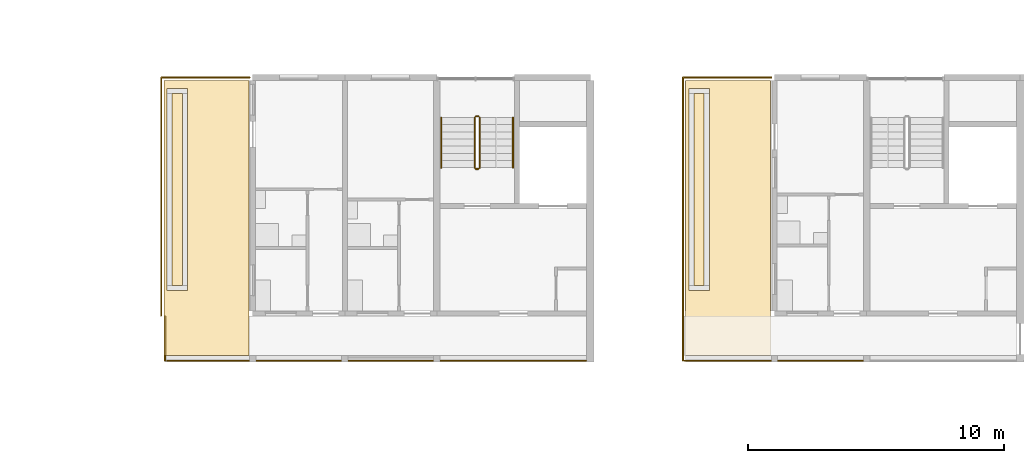
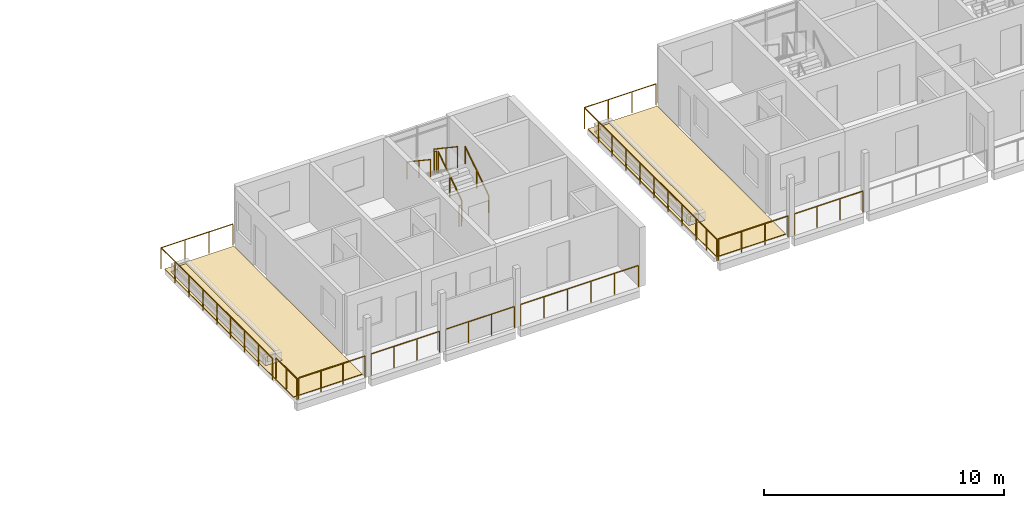
# One storey, part 86 of 94: 16 railings, 6 coverings.
"""IFC4 building model written with IfcOpenShell, lengths in metres."""

from ifc_helpers import new_model, si_unit, direction, frame, origin, origin_2d, place, context, subcontext, project, spatial, polyline, circle, outline, extrude, material, layer, layer_set, type_object, element, save


model = new_model("IFC4")

# Units and contexts
model_context = context("Model", 3, precision=1e-05, world=origin(), true_north=direction((0.0, 1.0)))
body_context = subcontext(model_context, "Body", "Model", "MODEL_VIEW")
ifc_project = project(units=[si_unit("LENGTHUNIT", "METRE"), si_unit("AREAUNIT", "SQUARE_METRE"), si_unit("VOLUMEUNIT", "CUBIC_METRE"), si_unit("PLANEANGLEUNIT", "RADIAN"), si_unit("MASSUNIT", "GRAM", prefix="KILO")], contexts=[model_context])

# Site, building, storey
site_placement = place(None, origin())
site = spatial("IfcSite", under=ifc_project, at=site_placement, CompositionType="ELEMENT")
building_placement = place(site_placement, origin())
building = spatial("IfcBuilding", under=site, at=building_placement, Name="Ridgestep Commons", CompositionType="ELEMENT")
storey_placement = place(building_placement, frame((0.0, 0.0, 24.0)))
storey = spatial("IfcBuildingStorey", under=building, at=storey_placement, Name="L08", CompositionType="ELEMENT", Elevation=24.0)

# Railings
ifc_material_1 = material(Name="Structural steel S355JR", Category="steel")
railing_type_1 = type_object("IfcRailingType", Name="Guard 1100", PredefinedType="GUARDRAIL", material=ifc_material_1)
railing_1_placement = place(storey_placement, frame((146.821044921875, 67.821044921875, 0.0)))
element("IfcRailing", 1, at=railing_1_placement, inside=storey, type_object=railing_type_1, Name="Guard TD-C1R1-GD", PredefinedType="GUARDRAIL", context=body_context, shape_type="SweptSolid", body=[
    extrude(circle(Radius=0.02392578125, at=origin_2d()), frame((0.0, 0.0, 1.076171875), z_axis=(0.0, 1.0, 0.0), x_axis=(-1.0, 0.0, 0.0)), (0.0, 0.0, 1.0), 9.303955078125),
    extrude(circle(Radius=0.02392578125, at=origin_2d()), frame((0.0, 9.303955078125, 1.076171875), z_axis=(1.0, 0.0, 0.0), x_axis=(0.0, 1.0, 0.0)), (0.0, 0.0, 1.0), 3.4580078125),
    extrude(circle(Radius=0.02099609375, at=origin_2d()), origin(), (0.0, 0.0, 1.0), 1.052001953125),
    extrude(circle(Radius=0.02099609375, at=origin_2d()), frame((0.0, 1.1630859375, 0.0)), (0.0, 0.0, 1.0), 1.052001953125),
    extrude(circle(Radius=0.02099609375, at=origin_2d()), frame((0.0, 2.325927734375, 0.0)), (0.0, 0.0, 1.0), 1.052001953125),
    extrude(circle(Radius=0.02099609375, at=origin_2d()), frame((0.0, 3.489013671875, 0.0)), (0.0, 0.0, 1.0), 1.052001953125),
    extrude(circle(Radius=0.02099609375, at=origin_2d()), frame((0.0, 4.65185546875, 0.0)), (0.0, 0.0, 1.0), 1.052001953125),
    extrude(circle(Radius=0.02099609375, at=origin_2d()), frame((0.0, 5.81494140625, 0.0)), (0.0, 0.0, 1.0), 1.052001953125),
    extrude(circle(Radius=0.02099609375, at=origin_2d()), frame((0.0, 6.97802734375, 0.0)), (0.0, 0.0, 1.0), 1.052001953125),
    extrude(circle(Radius=0.02099609375, at=origin_2d()), frame((0.0, 8.140869140625, 0.0)), (0.0, 0.0, 1.0), 1.052001953125),
    extrude(circle(Radius=0.02099609375, at=origin_2d()), frame((0.0, 9.303955078125, 0.0)), (0.0, 0.0, 1.0), 1.052001953125),
    extrude(circle(Radius=0.02099609375, at=origin_2d()), frame((1.152587890625, 9.303955078125, 0.0)), (0.0, 0.0, 1.0), 1.052001953125),
    extrude(circle(Radius=0.02099609375, at=origin_2d()), frame((2.305419921875, 9.303955078125, 0.0)), (0.0, 0.0, 1.0), 1.052001953125),
    extrude(circle(Radius=0.02099609375, at=origin_2d()), frame((3.4580078125, 9.303955078125, 0.0)), (0.0, 0.0, 1.0), 1.052001953125),
])
railing_2_placement = place(storey_placement, frame((167.220947265625, 67.821044921875, 0.0)))
element("IfcRailing", 2, at=railing_2_placement, inside=storey, type_object=railing_type_1, Name="Guard TD-C2R2-GD", PredefinedType="GUARDRAIL", context=body_context, shape_type="SweptSolid", body=[
    extrude(circle(Radius=0.02392578125, at=origin_2d()), frame((0.0, 0.0, 1.076171875), z_axis=(0.0, 1.0, 0.0), x_axis=(-1.0, 0.0, 0.0)), (0.0, 0.0, 1.0), 9.303955078125),
    extrude(circle(Radius=0.02392578125, at=origin_2d()), frame((0.0, 9.303955078125, 1.076171875), z_axis=(1.0, 0.0, 0.0), x_axis=(0.0, 1.0, 0.0)), (0.0, 0.0, 1.0), 3.4580078125),
    extrude(circle(Radius=0.02099609375, at=origin_2d()), origin(), (0.0, 0.0, 1.0), 1.052001953125),
    extrude(circle(Radius=0.02099609375, at=origin_2d()), frame((0.0, 1.1630859375, 0.0)), (0.0, 0.0, 1.0), 1.052001953125),
    extrude(circle(Radius=0.02099609375, at=origin_2d()), frame((0.0, 2.325927734375, 0.0)), (0.0, 0.0, 1.0), 1.052001953125),
    extrude(circle(Radius=0.02099609375, at=origin_2d()), frame((0.0, 3.489013671875, 0.0)), (0.0, 0.0, 1.0), 1.052001953125),
    extrude(circle(Radius=0.02099609375, at=origin_2d()), frame((0.0, 4.65185546875, 0.0)), (0.0, 0.0, 1.0), 1.052001953125),
    extrude(circle(Radius=0.02099609375, at=origin_2d()), frame((0.0, 5.81494140625, 0.0)), (0.0, 0.0, 1.0), 1.052001953125),
    extrude(circle(Radius=0.02099609375, at=origin_2d()), frame((0.0, 6.97802734375, 0.0)), (0.0, 0.0, 1.0), 1.052001953125),
    extrude(circle(Radius=0.02099609375, at=origin_2d()), frame((0.0, 8.140869140625, 0.0)), (0.0, 0.0, 1.0), 1.052001953125),
    extrude(circle(Radius=0.02099609375, at=origin_2d()), frame((0.0, 9.303955078125, 0.0)), (0.0, 0.0, 1.0), 1.052001953125),
    extrude(circle(Radius=0.02099609375, at=origin_2d()), frame((1.152587890625, 9.303955078125, 0.0)), (0.0, 0.0, 1.0), 1.052001953125),
    extrude(circle(Radius=0.02099609375, at=origin_2d()), frame((2.305419921875, 9.303955078125, 0.0)), (0.0, 0.0, 1.0), 1.052001953125),
    extrude(circle(Radius=0.02099609375, at=origin_2d()), frame((3.4580078125, 9.303955078125, 0.0)), (0.0, 0.0, 1.0), 1.052001953125),
])
railing_3_placement = place(storey_placement, frame((147.06103515625, 66.050048828125, 0.0)))
element("IfcRailing", 3, at=railing_3_placement, inside=storey, type_object=railing_type_1, Name="Gallery guard C 08.1", PredefinedType="GUARDRAIL", context=body_context, shape_type="SweptSolid", body=[
    extrude(circle(Radius=0.02392578125, at=origin_2d()), frame((0.0, 0.0, 1.076171875), z_axis=(1.0, 0.0, 0.0), x_axis=(0.0, 1.0, 0.0)), (0.0, 0.0, 1.0), 3.19287109375),
    extrude(circle(Radius=0.02099609375, at=origin_2d()), origin(), (0.0, 0.0, 1.0), 1.052001953125),
    extrude(circle(Radius=0.02099609375, at=origin_2d()), frame((1.064208984375, 0.0, 0.0)), (0.0, 0.0, 1.0), 1.052001953125),
    extrude(circle(Radius=0.02099609375, at=origin_2d()), frame((2.128662109375, 0.0, 0.0)), (0.0, 0.0, 1.0), 1.052001953125),
    extrude(circle(Radius=0.02099609375, at=origin_2d()), frame((3.19287109375, 0.0, 0.0)), (0.0, 0.0, 1.0), 1.052001953125),
])
railing_4_placement = place(storey_placement, frame((146.970947265625, 66.050048828125, 0.0)))
element("IfcRailing", 4, at=railing_4_placement, inside=storey, type_object=railing_type_1, Name="Gallery end guard C 08.1W", PredefinedType="GUARDRAIL", context=body_context, shape_type="SweptSolid", body=[
    extrude(circle(Radius=0.02392578125, at=origin_2d()), frame((0.0, 0.0, 1.076171875), z_axis=(0.0, 1.0, 0.0), x_axis=(-1.0, 0.0, 0.0)), (0.0, 0.0, 1.0), 1.72900390625),
    extrude(circle(Radius=0.02099609375, at=origin_2d()), origin(), (0.0, 0.0, 1.0), 1.052001953125),
    extrude(circle(Radius=0.02099609375, at=origin_2d()), frame((0.0, 0.864501953125, 0.0)), (0.0, 0.0, 1.0), 1.052001953125),
    extrude(circle(Radius=0.02099609375, at=origin_2d()), frame((0.0, 1.72900390625, 0.0)), (0.0, 0.0, 1.0), 1.052001953125),
])
for number, where, name in (
    (5, (150.5458984375, 66.050048828125, 0.0), "Gallery guard C 08.2"),
    (6, (154.14599609375, 66.050048828125, 0.0), "Gallery guard C 08.3"),
):
    element("IfcRailing", number, at=place(storey_placement, frame(where)), inside=storey, type_object=railing_type_1, Name=name, PredefinedType="GUARDRAIL", context=body_context, shape_type="SweptSolid", body=[
        extrude(circle(Radius=0.02392578125, at=origin_2d()), frame((0.0, 0.0, 1.076171875), z_axis=(1.0, 0.0, 0.0), x_axis=(0.0, 1.0, 0.0)), (0.0, 0.0, 1.0), 3.30810546875),
        extrude(circle(Radius=0.02099609375, at=origin_2d()), origin(), (0.0, 0.0, 1.0), 1.052001953125),
        extrude(circle(Radius=0.02099609375, at=origin_2d()), frame((1.102783203125, 0.0, 0.0)), (0.0, 0.0, 1.0), 1.052001953125),
        extrude(circle(Radius=0.02099609375, at=origin_2d()), frame((2.205322265625, 0.0, 0.0)), (0.0, 0.0, 1.0), 1.052001953125),
        extrude(circle(Radius=0.02099609375, at=origin_2d()), frame((3.30810546875, 0.0, 0.0)), (0.0, 0.0, 1.0), 1.052001953125),
    ])
railing_5_placement = place(storey_placement, frame((157.74609375, 66.050048828125, 0.0)))
element("IfcRailing", 7, at=railing_5_placement, inside=storey, type_object=railing_type_1, Name="Gallery guard C 08.4", PredefinedType="GUARDRAIL", context=body_context, shape_type="SweptSolid", body=[
    extrude(circle(Radius=0.02392578125, at=origin_2d()), frame((0.0, 0.0, 1.076171875), z_axis=(1.0, 0.0, 0.0), x_axis=(0.0, 1.0, 0.0)), (0.0, 0.0, 1.0), 5.682861328125),
    extrude(circle(Radius=0.02099609375, at=origin_2d()), origin(), (0.0, 0.0, 1.0), 1.052001953125),
    extrude(circle(Radius=0.02099609375, at=origin_2d()), frame((1.136474609375, 0.0, 0.0)), (0.0, 0.0, 1.0), 1.052001953125),
    extrude(circle(Radius=0.02099609375, at=origin_2d()), frame((2.273193359375, 0.0, 0.0)), (0.0, 0.0, 1.0), 1.052001953125),
    extrude(circle(Radius=0.02099609375, at=origin_2d()), frame((3.40966796875, 0.0, 0.0)), (0.0, 0.0, 1.0), 1.052001953125),
    extrude(circle(Radius=0.02099609375, at=origin_2d()), frame((4.54638671875, 0.0, 0.0)), (0.0, 0.0, 1.0), 1.052001953125),
    extrude(circle(Radius=0.02099609375, at=origin_2d()), frame((5.682861328125, 0.0, 0.0)), (0.0, 0.0, 1.0), 1.052001953125),
])
railing_6_placement = place(storey_placement, frame((167.283935546875, 66.050048828125, 0.0)))
element("IfcRailing", 8, at=railing_6_placement, inside=storey, type_object=railing_type_1, Name="Gallery guard C 08.1", PredefinedType="GUARDRAIL", context=body_context, shape_type="SweptSolid", body=[
    extrude(circle(Radius=0.02392578125, at=origin_2d()), frame((0.0, 0.0, 1.076171875), z_axis=(1.0, 0.0, 0.0), x_axis=(0.0, 1.0, 0.0)), (0.0, 0.0, 1.0), 3.3701171875),
    extrude(circle(Radius=0.02099609375, at=origin_2d()), origin(), (0.0, 0.0, 1.0), 1.052001953125),
    extrude(circle(Radius=0.02099609375, at=origin_2d()), frame((1.123291015625, 0.0, 0.0)), (0.0, 0.0, 1.0), 1.052001953125),
    extrude(circle(Radius=0.02099609375, at=origin_2d()), frame((2.246826171875, 0.0, 0.0)), (0.0, 0.0, 1.0), 1.052001953125),
    extrude(circle(Radius=0.02099609375, at=origin_2d()), frame((3.3701171875, 0.0, 0.0)), (0.0, 0.0, 1.0), 1.052001953125),
])
railing_7_placement = place(storey_placement, frame((167.220947265625, 66.050048828125, 0.0)))
element("IfcRailing", 9, at=railing_7_placement, inside=storey, type_object=railing_type_1, Name="Gallery end guard C 08.1W", PredefinedType="GUARDRAIL", context=body_context, shape_type="SweptSolid", body=[
    extrude(circle(Radius=0.02392578125, at=origin_2d()), frame((0.0, 0.0, 1.076171875), z_axis=(0.0, 1.0, 0.0), x_axis=(-1.0, 0.0, 0.0)), (0.0, 0.0, 1.0), 1.72900390625),
    extrude(circle(Radius=0.02099609375, at=origin_2d()), origin(), (0.0, 0.0, 1.0), 1.052001953125),
    extrude(circle(Radius=0.02099609375, at=origin_2d()), frame((0.0, 0.864501953125, 0.0)), (0.0, 0.0, 1.0), 1.052001953125),
    extrude(circle(Radius=0.02099609375, at=origin_2d()), frame((0.0, 1.72900390625, 0.0)), (0.0, 0.0, 1.0), 1.052001953125),
])
railing_8_placement = place(storey_placement, frame((170.946044921875, 66.050048828125, 0.0)))
element("IfcRailing", 10, at=railing_8_placement, inside=storey, type_object=railing_type_1, Name="Gallery guard C 08.2", PredefinedType="GUARDRAIL", context=body_context, shape_type="SweptSolid", body=[
    extrude(circle(Radius=0.02392578125, at=origin_2d()), frame((0.0, 0.0, 1.076171875), z_axis=(1.0, 0.0, 0.0), x_axis=(0.0, 1.0, 0.0)), (0.0, 0.0, 1.0), 3.307861328125),
    extrude(circle(Radius=0.02099609375, at=origin_2d()), origin(), (0.0, 0.0, 1.0), 1.052001953125),
    extrude(circle(Radius=0.02099609375, at=origin_2d()), frame((1.1025390625, 0.0, 0.0)), (0.0, 0.0, 1.0), 1.052001953125),
    extrude(circle(Radius=0.02099609375, at=origin_2d()), frame((2.205322265625, 0.0, 0.0)), (0.0, 0.0, 1.0), 1.052001953125),
    extrude(circle(Radius=0.02099609375, at=origin_2d()), frame((3.307861328125, 0.0, 0.0)), (0.0, 0.0, 1.0), 1.052001953125),
])

# Coverings
ifc_material_2 = material(Name="Planting soil")
ifc_layer_1 = layer(ifc_material_2, 0.35009765625)
ifc_layer_set_1 = layer_set([ifc_layer_1], Name="Planting soil 350")
covering_type_1 = type_object("IfcCoveringType", Name="Planting soil 350", PredefinedType="FLOORING", material=ifc_layer_set_1)
covering_1_placement = place(storey_placement, frame((0.0, 0.0, 0.010009765625)))
element("IfcCovering", 11, at=covering_1_placement, inside=storey, type_object=covering_type_1, Name="Planting soil C1R1", PredefinedType="FLOORING", context=body_context, shape_type="SweptSolid", body=[
    extrude(outline(polyline([(147.25, 69.0), (147.64990234375, 69.0), (147.64990234375, 76.5), (147.25, 76.5), (147.25, 69.0)])), origin(), (0.0, 0.0, 1.0), 0.35009765625),
])
covering_2_placement = place(storey_placement, frame((0.0, 0.0, 0.010009765625)))
element("IfcCovering", 12, at=covering_2_placement, inside=storey, type_object=covering_type_1, Name="Planting soil C2R2", PredefinedType="FLOORING", context=body_context, shape_type="SweptSolid", body=[
    extrude(outline(polyline([(167.64990234375, 69.0), (168.050048828125, 69.0), (168.050048828125, 76.5), (167.64990234375, 76.5), (167.64990234375, 69.0)])), origin(), (0.0, 0.0, 1.0), 0.35009765625),
])

# Railings
ifc_material_3 = material(Name="Structural steel S355JR", Category="steel")
railing_type_2 = type_object("IfcRailingType", Name="Stair guard 1100", PredefinedType="GUARDRAIL", material=ifc_material_3)
railing_9_placement = place(storey_placement, frame((159.27490234375, 73.60009765625, 0.1875)))
element("IfcRailing", 13, at=railing_9_placement, inside=storey, type_object=railing_type_2, Name="L08 C1C stair guard 1", PredefinedType="GUARDRAIL", context=body_context, shape_type="SweptSolid", body=[
    extrude(circle(Radius=0.02392578125, at=origin_2d()), frame((0.0, 0.0, 1.076171875), z_axis=(0.0, 0.830902050051, 0.556418712142), x_axis=(-1.0, 0.0, 0.0)), (0.0, 0.0, 1.0), 2.35888671875),
    extrude(circle(Radius=0.02099609375, at=origin_2d()), origin(), (0.0, 0.0, 1.0), 1.052001953125),
    extrude(circle(Radius=0.02099609375, at=origin_2d()), frame((0.0, 0.97998046875, 0.65625)), (0.0, 0.0, 1.0), 1.052001953125),
    extrude(circle(Radius=0.02099609375, at=origin_2d()), frame((0.0, 1.9599609375, 1.3125)), (0.0, 0.0, 1.0), 1.052001953125),
])
railing_10_placement = place(storey_placement, frame((159.22509765625, 75.610107421875, 1.5)))
element("IfcRailing", 14, at=railing_10_placement, inside=storey, type_object=railing_type_2, Name="L08 C1C stair guard 2", PredefinedType="GUARDRAIL", context=body_context, shape_type="SweptSolid", body=[
    extrude(circle(Radius=0.02392578125, at=origin_2d()), frame((0.0, 0.0, 1.076171875), z_axis=(-1.0, 0.0, 0.0), x_axis=(0.0, -1.0, 0.0)), (0.0, 0.0, 1.0), 0.10009765625),
    extrude(circle(Radius=0.02099609375, at=origin_2d()), origin(), (0.0, 0.0, 1.0), 1.052001953125),
    extrude(circle(Radius=0.02099609375, at=origin_2d()), frame((-0.10009765625, 0.0, 0.0)), (0.0, 0.0, 1.0), 1.052001953125),
])
railing_11_placement = place(storey_placement, frame((159.074951171875, 75.56005859375, 1.6875)))
element("IfcRailing", 15, at=railing_11_placement, inside=storey, type_object=railing_type_2, Name="L08 C1C stair guard 3", PredefinedType="GUARDRAIL", context=body_context, shape_type="SweptSolid", body=[
    extrude(circle(Radius=0.02392578125, at=origin_2d()), frame((0.0, 0.0, 1.076171875), z_axis=(0.0, -0.830902050051, 0.556418712142), x_axis=(1.0, 0.0, 0.0)), (0.0, 0.0, 1.0), 2.35888671875),
    extrude(circle(Radius=0.02099609375, at=origin_2d()), origin(), (0.0, 0.0, 1.0), 1.052001953125),
    extrude(circle(Radius=0.02099609375, at=origin_2d()), frame((0.0, -0.97998046875, 0.65625)), (0.0, 0.0, 1.0), 1.052001953125),
    extrude(circle(Radius=0.02099609375, at=origin_2d()), frame((0.0, -1.9599609375, 1.3125)), (0.0, 0.0, 1.0), 1.052001953125),
])
railing_12_placement = place(storey_placement, frame((159.22509765625, 73.550048828125, 0.0)))
element("IfcRailing", 16, at=railing_12_placement, inside=storey, type_object=railing_type_2, Name="L08 C1C stair guard 4", PredefinedType="GUARDRAIL", context=body_context, shape_type="SweptSolid", body=[
    extrude(circle(Radius=0.02392578125, at=origin_2d()), frame((0.0, 0.0, 1.076171875), z_axis=(-1.0, 0.0, 0.0), x_axis=(0.0, -1.0, 0.0)), (0.0, 0.0, 1.0), 0.10009765625),
    extrude(circle(Radius=0.02099609375, at=origin_2d()), origin(), (0.0, 0.0, 1.0), 1.052001953125),
    extrude(circle(Radius=0.02099609375, at=origin_2d()), frame((-0.10009765625, 0.0, 0.0)), (0.0, 0.0, 1.0), 1.052001953125),
])
ifc_material_4 = material(Name="Structural steel S355JR", Category="steel")
railing_type_3 = type_object("IfcRailingType", Name="Stair handrail 900", PredefinedType="HANDRAIL", material=ifc_material_4)
railing_13_placement = place(storey_placement, frame((160.574951171875, 73.60009765625, 0.1875)))
element("IfcRailing", 17, at=railing_13_placement, inside=storey, type_object=railing_type_3, Name="L08 C1C stair handrail 1", PredefinedType="HANDRAIL", context=body_context, shape_type="SweptSolid", body=[
    extrude(circle(Radius=0.02392578125, at=origin_2d()), frame((0.0, 0.0, 0.8759765625), z_axis=(0.0, 0.830902050051, 0.556418712142), x_axis=(-1.0, 0.0, 0.0)), (0.0, 0.0, 1.0), 2.35888671875),
    extrude(circle(Radius=0.02099609375, at=origin_2d()), origin(), (0.0, 0.0, 1.0), 0.851806640625),
    extrude(circle(Radius=0.02099609375, at=origin_2d()), frame((0.0, 0.97998046875, 0.65625)), (0.0, 0.0, 1.0), 0.851806640625),
    extrude(circle(Radius=0.02099609375, at=origin_2d()), frame((0.0, 1.9599609375, 1.3125)), (0.0, 0.0, 1.0), 0.851806640625),
])
railing_14_placement = place(storey_placement, frame((157.77490234375, 75.56005859375, 1.6875)))
element("IfcRailing", 18, at=railing_14_placement, inside=storey, type_object=railing_type_3, Name="L08 C1C stair handrail 2", PredefinedType="HANDRAIL", context=body_context, shape_type="SweptSolid", body=[
    extrude(circle(Radius=0.02392578125, at=origin_2d()), frame((0.0, 0.0, 0.8759765625), z_axis=(0.0, -0.830902050051, 0.556418712142), x_axis=(1.0, 0.0, 0.0)), (0.0, 0.0, 1.0), 2.35888671875),
    extrude(circle(Radius=0.02099609375, at=origin_2d()), origin(), (0.0, 0.0, 1.0), 0.851806640625),
    extrude(circle(Radius=0.02099609375, at=origin_2d()), frame((0.0, -0.97998046875, 0.65625)), (0.0, 0.0, 1.0), 0.851806640625),
    extrude(circle(Radius=0.02099609375, at=origin_2d()), frame((0.0, -1.9599609375, 1.3125)), (0.0, 0.0, 1.0), 0.851806640625),
])

# Coverings
ifc_material_5 = material(Name="Bitumen membrane, two layer")
ifc_layer_2 = layer(ifc_material_5, 0.010009765625)
ifc_layer_set_2 = layer_set([ifc_layer_2], Name="Terrace membrane 10")
covering_type_2 = type_object("IfcCoveringType", Name="Terrace membrane 10", PredefinedType="ROOFING", material=ifc_layer_set_2)
covering_3_placement = place(storey_placement, origin())
element("IfcCovering", 19, at=covering_3_placement, inside=storey, type_object=covering_type_2, Name="Terrace membrane C1R1", PredefinedType="ROOFING", context=body_context, shape_type="SweptSolid", body=[
    extrude(outline(polyline([(150.25, 66.25), (150.25, 77.0), (146.925048828125, 77.0), (146.925048828125, 66.25), (150.25, 66.25)]), holes=[polyline([(147.85009765625, 68.800048828125), (147.85009765625, 76.699951171875), (147.050048828125, 76.699951171875), (147.050048828125, 68.800048828125), (147.85009765625, 68.800048828125)])]), origin(), (0.0, 0.0, 1.0), 0.010009765625),
])
covering_4_placement = place(storey_placement, origin())
element("IfcCovering", 20, at=covering_4_placement, inside=storey, type_object=covering_type_2, Name="Terrace membrane C2R2", PredefinedType="ROOFING", context=body_context, shape_type="SweptSolid", body=[
    extrude(outline(polyline([(170.64990234375, 66.25), (170.64990234375, 77.0), (167.324951171875, 77.0), (167.324951171875, 66.25), (170.64990234375, 66.25)]), holes=[polyline([(168.25, 68.800048828125), (168.25, 76.699951171875), (167.449951171875, 76.699951171875), (167.449951171875, 68.800048828125), (168.25, 68.800048828125)])]), origin(), (0.0, 0.0, 1.0), 0.010009765625),
])
ifc_material_6 = material(Name="Concrete paving slab", Category="concrete")
ifc_layer_3 = layer(ifc_material_6, 0.030029296875)
ifc_layer_set_3 = layer_set([ifc_layer_3], Name="Terrace paving 30")
covering_type_3 = type_object("IfcCoveringType", Name="Terrace paving 30", PredefinedType="FLOORING", material=ifc_layer_set_3)
covering_5_placement = place(storey_placement, frame((0.0, 0.0, 0.010009765625)))
element("IfcCovering", 21, at=covering_5_placement, inside=storey, type_object=covering_type_3, Name="Terrace paving C1R1", PredefinedType="FLOORING", context=body_context, shape_type="SweptSolid", body=[
    extrude(outline(polyline([(150.25, 66.25), (150.25, 77.0), (146.925048828125, 77.0), (146.925048828125, 66.25), (150.25, 66.25)]), holes=[polyline([(147.85009765625, 68.800048828125), (147.85009765625, 76.699951171875), (147.050048828125, 76.699951171875), (147.050048828125, 68.800048828125), (147.85009765625, 68.800048828125)])]), origin(), (0.0, 0.0, 1.0), 0.030029296875),
])
covering_6_placement = place(storey_placement, frame((0.0, 0.0, 0.010009765625)))
element("IfcCovering", 22, at=covering_6_placement, inside=storey, type_object=covering_type_3, Name="Terrace paving C2R2", PredefinedType="FLOORING", context=body_context, shape_type="SweptSolid", body=[
    extrude(outline(polyline([(170.64990234375, 66.25), (170.64990234375, 77.0), (167.324951171875, 77.0), (167.324951171875, 66.25), (170.64990234375, 66.25)]), holes=[polyline([(168.25, 68.800048828125), (168.25, 76.699951171875), (167.449951171875, 76.699951171875), (167.449951171875, 68.800048828125), (168.25, 68.800048828125)])]), origin(), (0.0, 0.0, 1.0), 0.030029296875),
])

save(model, "model.ifc")
